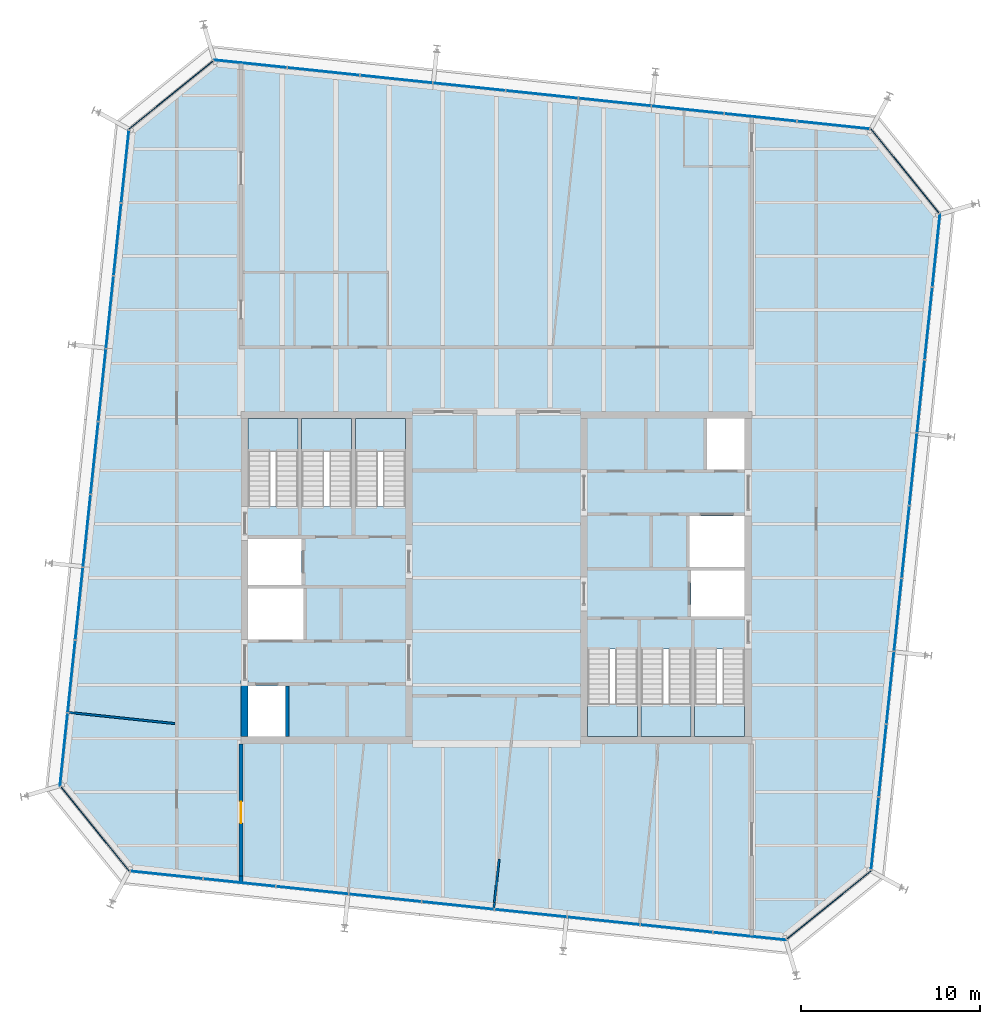
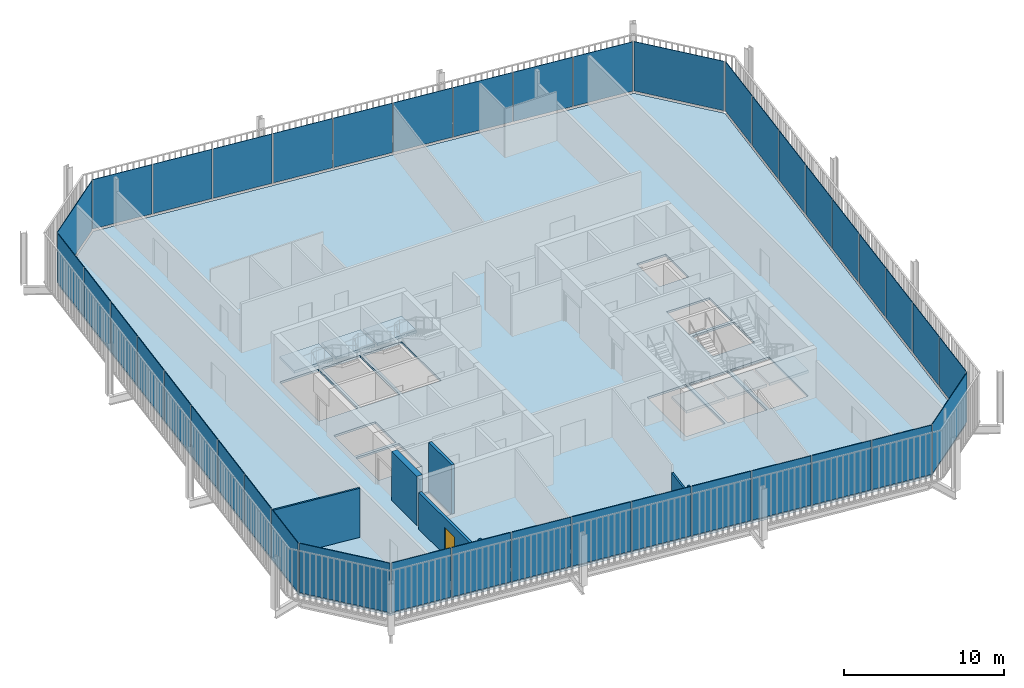
# One storey, part 15 of 20: 40 plates, 7 slabs, 7 walls, 1 door, 1 opening, 14 elements without a shape of their own.
"""IFC4 building model written with IfcOpenShell, lengths in metres."""

from ifc_helpers import new_model, si_unit, direction, frame, frame_2d, origin, place, context, subcontext, project, spatial, polyline, rectangle, outline, extrude, material, layer, layer_set, type_object, element, fill, aggregate, save


model = new_model("IFC4")

# Units and contexts
model_context = context("Model", 3, precision=1e-05, world=origin(), true_north=direction((0.0, 1.0)))
body_context = subcontext(model_context, "Body", "Model", "MODEL_VIEW")
ifc_project = project(units=[si_unit("LENGTHUNIT", "METRE"), si_unit("AREAUNIT", "SQUARE_METRE"), si_unit("VOLUMEUNIT", "CUBIC_METRE"), si_unit("PLANEANGLEUNIT", "RADIAN"), si_unit("MASSUNIT", "GRAM", prefix="KILO")], contexts=[model_context])

# Site, building, storey
site_placement = place(None, origin())
site = spatial("IfcSite", under=ifc_project, at=site_placement, CompositionType="ELEMENT")
building_placement = place(site_placement, origin())
building = spatial("IfcBuilding", under=site, at=building_placement, Name="Millrace Tower", CompositionType="ELEMENT")
storey_placement = place(building_placement, frame((0.0, 0.0, 287.699951171875)))
storey = spatial("IfcBuildingStorey", under=building, at=storey_placement, Name="L66", CompositionType="ELEMENT", Elevation=287.699951171875)

# Curtain wall, plate
ifc_material_1 = material(Name="Aluminium and glass", Category="aluminium")
ifc_layer_1 = layer(ifc_material_1, 0.14990234375)
ifc_layer_set_1 = layer_set([ifc_layer_1], Name="Aluminium and glass")
curtain_wall_type = type_object("IfcCurtainWallType", Name="CW-1 office vision curtain wall", PredefinedType="NOTDEFINED", material=ifc_layer_set_1)
placement_1 = place(storey_placement, origin())
curtain_wall_1 = element("IfcCurtainWall", 1, at=placement_1, inside=storey, type_object=curtain_wall_type, Name="Curtain wall E-F01 L66", PredefinedType="NOTDEFINED")
ifc_material_2 = material(Name="Glass", Category="glass")
ifc_layer_2 = layer(ifc_material_2, 0.0439453125)
ifc_layer_set_2 = layer_set([ifc_layer_2], Name="Glass")
plate_type = type_object("IfcPlateType", Name="CW-1 office vision curtain wall triple-glazed vision panel", PredefinedType="CURTAIN_PANEL", material=ifc_layer_set_2)
placement_2 = place(storey_placement, frame((0.0, 0.0, 0.14013671875)))
plate_1 = element("IfcPlate", 2, at=placement_2, type_object=plate_type, Name="CW1 panel E-F01.1", PredefinedType="CURTAIN_PANEL", context=body_context, shape_type="SweptSolid", body=[
    extrude(outline(polyline([(-24.388427734375, -11.732421875), (-20.5771484375, -16.439208984375), (-20.554443359375, -16.397216796875), (-24.354248046875, -11.704833984375), (-24.388427734375, -11.732421875)])), origin(), (0.0, 0.0, 1.0), 3.760009765625),
])
aggregate(curtain_wall_1, [plate_1])

# Curtain wall, plates
curtain_wall_2 = element("IfcCurtainWall", 3, at=placement_1, inside=storey, type_object=curtain_wall_type, Name="Curtain wall E-F02 L66", PredefinedType="NOTDEFINED")
plate_2 = element("IfcPlate", 4, at=placement_2, type_object=plate_type, Name="CW1 panel E-F02.1", PredefinedType="CURTAIN_PANEL", context=body_context, shape_type="SweptSolid", body=[
    extrude(outline(polyline([(-20.472412109375, -16.4501953125), (-16.45947265625, -16.871826171875), (-16.454833984375, -16.828125), (-20.4677734375, -16.40625), (-20.472412109375, -16.4501953125)])), origin(), (0.0, 0.0, 1.0), 3.760009765625),
])
plate_3 = element("IfcPlate", 5, at=placement_2, type_object=plate_type, Name="CW1 panel E-F02.2", PredefinedType="CURTAIN_PANEL", context=body_context, shape_type="SweptSolid", body=[
    extrude(outline(polyline([(-16.39501953125, -16.878662109375), (-12.382080078125, -17.300537109375), (-12.37744140625, -17.256591796875), (-16.390380859375, -16.8349609375), (-16.39501953125, -16.878662109375)])), origin(), (0.0, 0.0, 1.0), 3.760009765625),
])
plate_4 = element("IfcPlate", 6, at=placement_2, type_object=plate_type, Name="CW1 panel E-F02.3", PredefinedType="CURTAIN_PANEL", context=body_context, shape_type="SweptSolid", body=[
    extrude(outline(polyline([(-12.3173828125, -17.30712890625), (-8.304443359375, -17.72900390625), (-8.2998046875, -17.685302734375), (-12.312744140625, -17.263427734375), (-12.3173828125, -17.30712890625)])), origin(), (0.0, 0.0, 1.0), 3.760009765625),
])
plate_5 = element("IfcPlate", 7, at=placement_2, type_object=plate_type, Name="CW1 panel E-F02.4", PredefinedType="CURTAIN_PANEL", context=body_context, shape_type="SweptSolid", body=[
    extrude(outline(polyline([(-8.23974609375, -17.73583984375), (-4.22705078125, -18.157470703125), (-4.222412109375, -18.11376953125), (-8.235107421875, -17.692138671875), (-8.23974609375, -17.73583984375)])), origin(), (0.0, 0.0, 1.0), 3.760009765625),
])
plate_6 = element("IfcPlate", 8, at=placement_2, type_object=plate_type, Name="CW1 panel E-F02.5", PredefinedType="CURTAIN_PANEL", context=body_context, shape_type="SweptSolid", body=[
    extrude(outline(polyline([(-4.162353515625, -18.164306640625), (-0.1494140625, -18.586181640625), (-0.144775390625, -18.54248046875), (-4.15771484375, -18.12060546875), (-4.162353515625, -18.164306640625)])), origin(), (0.0, 0.0, 1.0), 3.760009765625),
])
plate_7 = element("IfcPlate", 9, at=placement_2, type_object=plate_type, Name="CW1 panel E-F02.6", PredefinedType="CURTAIN_PANEL", context=body_context, shape_type="SweptSolid", body=[
    extrude(outline(polyline([(-0.084716796875, -18.593017578125), (3.92822265625, -19.0146484375), (3.932861328125, -18.970947265625), (-0.080078125, -18.549072265625), (-0.084716796875, -18.593017578125)])), origin(), (0.0, 0.0, 1.0), 3.760009765625),
])
plate_8 = element("IfcPlate", 10, at=placement_2, type_object=plate_type, Name="CW1 panel E-F02.7", PredefinedType="CURTAIN_PANEL", context=body_context, shape_type="SweptSolid", body=[
    extrude(outline(polyline([(3.99267578125, -19.021484375), (8.005615234375, -19.443359375), (8.01025390625, -19.3994140625), (3.997314453125, -18.977783203125), (3.99267578125, -19.021484375)])), origin(), (0.0, 0.0, 1.0), 3.760009765625),
])
plate_9 = element("IfcPlate", 11, at=placement_2, type_object=plate_type, Name="CW1 panel E-F02.8", PredefinedType="CURTAIN_PANEL", context=body_context, shape_type="SweptSolid", body=[
    extrude(outline(polyline([(8.0703125, -19.449951171875), (12.083251953125, -19.871826171875), (12.087890625, -19.828125), (8.074951171875, -19.40625), (8.0703125, -19.449951171875)])), origin(), (0.0, 0.0, 1.0), 3.760009765625),
])
plate_10 = element("IfcPlate", 12, at=placement_2, type_object=plate_type, Name="CW1 panel E-F02.9", PredefinedType="CURTAIN_PANEL", context=body_context, shape_type="SweptSolid", body=[
    extrude(outline(polyline([(12.14794921875, -19.878662109375), (16.20068359375, -20.3046875), (16.187255859375, -20.259033203125), (12.152587890625, -19.8349609375), (12.14794921875, -19.878662109375)])), origin(), (0.0, 0.0, 1.0), 3.760009765625),
])
aggregate(curtain_wall_2, [plate_2, plate_3, plate_4, plate_5, plate_6, plate_7, plate_8, plate_9, plate_10])

# Curtain wall, plate
curtain_wall_3 = element("IfcCurtainWall", 13, at=placement_1, inside=storey, type_object=curtain_wall_type, Name="Curtain wall E-F03 L66", PredefinedType="NOTDEFINED")
plate_11 = element("IfcPlate", 14, at=placement_2, type_object=plate_type, Name="CW1 panel E-F03.1", PredefinedType="CURTAIN_PANEL", context=body_context, shape_type="SweptSolid", body=[
    extrude(outline(polyline([(16.282470703125, -20.23828125), (20.989013671875, -16.427001953125), (20.947265625, -16.404296875), (16.2548828125, -20.2041015625), (16.282470703125, -20.23828125)])), origin(), (0.0, 0.0, 1.0), 3.760009765625),
])
aggregate(curtain_wall_3, [plate_11])

# Curtain wall, plates
curtain_wall_4 = element("IfcCurtainWall", 15, at=placement_1, inside=storey, type_object=curtain_wall_type, Name="Curtain wall E-F04 L66", PredefinedType="NOTDEFINED")
plate_12 = element("IfcPlate", 16, at=placement_2, type_object=plate_type, Name="CW1 panel E-F04.1", PredefinedType="CURTAIN_PANEL", context=body_context, shape_type="SweptSolid", body=[
    extrude(outline(polyline([(21.0, -16.322509765625), (21.421875, -12.3095703125), (21.378173828125, -12.304931640625), (20.956298828125, -16.31787109375), (21.0, -16.322509765625)])), origin(), (0.0, 0.0, 1.0), 3.760009765625),
])
plate_13 = element("IfcPlate", 17, at=placement_2, type_object=plate_type, Name="CW1 panel E-F04.2", PredefinedType="CURTAIN_PANEL", context=body_context, shape_type="SweptSolid", body=[
    extrude(outline(polyline([(21.4287109375, -12.244873046875), (21.850341796875, -8.23193359375), (21.806640625, -8.227294921875), (21.385009765625, -12.240234375), (21.4287109375, -12.244873046875)])), origin(), (0.0, 0.0, 1.0), 3.760009765625),
])
plate_14 = element("IfcPlate", 18, at=placement_2, type_object=plate_type, Name="CW1 panel E-F04.3", PredefinedType="CURTAIN_PANEL", context=body_context, shape_type="SweptSolid", body=[
    extrude(outline(polyline([(21.857177734375, -8.16748046875), (22.279052734375, -4.154541015625), (22.2353515625, -4.14990234375), (21.8134765625, -8.162841796875), (21.857177734375, -8.16748046875)])), origin(), (0.0, 0.0, 1.0), 3.760009765625),
])
plate_15 = element("IfcPlate", 19, at=placement_2, type_object=plate_type, Name="CW1 panel E-F04.4", PredefinedType="CURTAIN_PANEL", context=body_context, shape_type="SweptSolid", body=[
    extrude(outline(polyline([(22.285888671875, -4.08984375), (22.70751953125, -0.076904296875), (22.663818359375, -0.072265625), (22.241943359375, -4.085205078125), (22.285888671875, -4.08984375)])), origin(), (0.0, 0.0, 1.0), 3.760009765625),
])
plate_16 = element("IfcPlate", 20, at=placement_2, type_object=plate_type, Name="CW1 panel E-F04.5", PredefinedType="CURTAIN_PANEL", context=body_context, shape_type="SweptSolid", body=[
    extrude(outline(polyline([(22.71435546875, -0.01220703125), (23.13623046875, 4.00048828125), (23.09228515625, 4.005126953125), (22.670654296875, -0.007568359375), (22.71435546875, -0.01220703125)])), origin(), (0.0, 0.0, 1.0), 3.760009765625),
])
plate_17 = element("IfcPlate", 21, at=placement_2, type_object=plate_type, Name="CW1 panel E-F04.6", PredefinedType="CURTAIN_PANEL", context=body_context, shape_type="SweptSolid", body=[
    extrude(outline(polyline([(23.142822265625, 4.065185546875), (23.564697265625, 8.078125), (23.52099609375, 8.082763671875), (23.09912109375, 4.06982421875), (23.142822265625, 4.065185546875)])), origin(), (0.0, 0.0, 1.0), 3.760009765625),
])
plate_18 = element("IfcPlate", 22, at=placement_2, type_object=plate_type, Name="CW1 panel E-F04.7", PredefinedType="CURTAIN_PANEL", context=body_context, shape_type="SweptSolid", body=[
    extrude(outline(polyline([(23.571533203125, 8.142822265625), (23.9931640625, 12.15576171875), (23.949462890625, 12.160400390625), (23.52783203125, 8.1474609375), (23.571533203125, 8.142822265625)])), origin(), (0.0, 0.0, 1.0), 3.760009765625),
])
plate_19 = element("IfcPlate", 23, at=placement_2, type_object=plate_type, Name="CW1 panel E-F04.8", PredefinedType="CURTAIN_PANEL", context=body_context, shape_type="SweptSolid", body=[
    extrude(outline(polyline([(24.0, 12.22021484375), (24.421875, 16.233154296875), (24.378173828125, 16.23779296875), (23.956298828125, 12.224853515625), (24.0, 12.22021484375)])), origin(), (0.0, 0.0, 1.0), 3.760009765625),
])
plate_20 = element("IfcPlate", 24, at=placement_2, type_object=plate_type, Name="CW1 panel E-F04.9", PredefinedType="CURTAIN_PANEL", context=body_context, shape_type="SweptSolid", body=[
    extrude(outline(polyline([(24.4287109375, 16.2978515625), (24.8544921875, 20.350830078125), (24.808837890625, 20.337158203125), (24.384765625, 16.302490234375), (24.4287109375, 16.2978515625)])), origin(), (0.0, 0.0, 1.0), 3.760009765625),
])
aggregate(curtain_wall_4, [plate_12, plate_13, plate_14, plate_15, plate_16, plate_17, plate_18, plate_19, plate_20])

# Curtain wall, plate
curtain_wall_5 = element("IfcCurtainWall", 25, at=placement_1, inside=storey, type_object=curtain_wall_type, Name="Curtain wall E-F05 L66", PredefinedType="NOTDEFINED")
plate_21 = element("IfcPlate", 26, at=placement_2, type_object=plate_type, Name="CW1 panel E-F05.1", PredefinedType="CURTAIN_PANEL", context=body_context, shape_type="SweptSolid", body=[
    extrude(outline(polyline([(24.788330078125, 20.432373046875), (20.97705078125, 25.13916015625), (20.954345703125, 25.09716796875), (24.754150390625, 20.40478515625), (24.788330078125, 20.432373046875)])), origin(), (0.0, 0.0, 1.0), 3.760009765625),
])
aggregate(curtain_wall_5, [plate_21])

# Curtain wall, plates
curtain_wall_6 = element("IfcCurtainWall", 27, at=placement_1, inside=storey, type_object=curtain_wall_type, Name="Curtain wall E-F06 L66", PredefinedType="NOTDEFINED")
plate_22 = element("IfcPlate", 28, at=placement_2, type_object=plate_type, Name="CW1 panel E-F06.1", PredefinedType="CURTAIN_PANEL", context=body_context, shape_type="SweptSolid", body=[
    extrude(outline(polyline([(20.87255859375, 25.150146484375), (16.859619140625, 25.57177734375), (16.85498046875, 25.528076171875), (20.867919921875, 25.1064453125), (20.87255859375, 25.150146484375)])), origin(), (0.0, 0.0, 1.0), 3.760009765625),
])
plate_23 = element("IfcPlate", 29, at=placement_2, type_object=plate_type, Name="CW1 panel E-F06.2", PredefinedType="CURTAIN_PANEL", context=body_context, shape_type="SweptSolid", body=[
    extrude(outline(polyline([(16.794921875, 25.57861328125), (12.781982421875, 26.00048828125), (12.77734375, 25.956787109375), (16.790283203125, 25.534912109375), (16.794921875, 25.57861328125)])), origin(), (0.0, 0.0, 1.0), 3.760009765625),
])
plate_24 = element("IfcPlate", 30, at=placement_2, type_object=plate_type, Name="CW1 panel E-F06.3", PredefinedType="CURTAIN_PANEL", context=body_context, shape_type="SweptSolid", body=[
    extrude(outline(polyline([(12.71728515625, 26.00732421875), (8.70458984375, 26.428955078125), (8.699951171875, 26.38525390625), (12.712646484375, 25.96337890625), (12.71728515625, 26.00732421875)])), origin(), (0.0, 0.0, 1.0), 3.760009765625),
])
plate_25 = element("IfcPlate", 31, at=placement_2, type_object=plate_type, Name="CW1 panel E-F06.4", PredefinedType="CURTAIN_PANEL", context=body_context, shape_type="SweptSolid", body=[
    extrude(outline(polyline([(8.639892578125, 26.435791015625), (4.626953125, 26.857666015625), (4.622314453125, 26.813720703125), (8.63525390625, 26.39208984375), (8.639892578125, 26.435791015625)])), origin(), (0.0, 0.0, 1.0), 3.760009765625),
])
plate_26 = element("IfcPlate", 32, at=placement_2, type_object=plate_type, Name="CW1 panel E-F06.5", PredefinedType="CURTAIN_PANEL", context=body_context, shape_type="SweptSolid", body=[
    extrude(outline(polyline([(4.562255859375, 26.8642578125), (0.54931640625, 27.2861328125), (0.544677734375, 27.242431640625), (4.5576171875, 26.820556640625), (4.562255859375, 26.8642578125)])), origin(), (0.0, 0.0, 1.0), 3.760009765625),
])
plate_27 = element("IfcPlate", 33, at=placement_2, type_object=plate_type, Name="CW1 panel E-F06.6", PredefinedType="CURTAIN_PANEL", context=body_context, shape_type="SweptSolid", body=[
    extrude(outline(polyline([(0.48486328125, 27.29296875), (-3.528076171875, 27.714599609375), (-3.53271484375, 27.6708984375), (0.480224609375, 27.249267578125), (0.48486328125, 27.29296875)])), origin(), (0.0, 0.0, 1.0), 3.760009765625),
])
plate_28 = element("IfcPlate", 34, at=placement_2, type_object=plate_type, Name="CW1 panel E-F06.7", PredefinedType="CURTAIN_PANEL", context=body_context, shape_type="SweptSolid", body=[
    extrude(outline(polyline([(-3.5927734375, 27.721435546875), (-7.605712890625, 28.143310546875), (-7.6103515625, 28.099609375), (-3.597412109375, 27.677734375), (-3.5927734375, 27.721435546875)])), origin(), (0.0, 0.0, 1.0), 3.760009765625),
])
plate_29 = element("IfcPlate", 35, at=placement_2, type_object=plate_type, Name="CW1 panel E-F06.8", PredefinedType="CURTAIN_PANEL", context=body_context, shape_type="SweptSolid", body=[
    extrude(outline(polyline([(-7.67041015625, 28.150146484375), (-11.68310546875, 28.57177734375), (-11.687744140625, 28.528076171875), (-7.675048828125, 28.106201171875), (-7.67041015625, 28.150146484375)])), origin(), (0.0, 0.0, 1.0), 3.760009765625),
])
plate_30 = element("IfcPlate", 36, at=placement_2, type_object=plate_type, Name="CW1 panel E-F06.9", PredefinedType="CURTAIN_PANEL", context=body_context, shape_type="SweptSolid", body=[
    extrude(outline(polyline([(-11.747802734375, 28.57861328125), (-15.80078125, 29.004638671875), (-15.787109375, 28.958984375), (-11.75244140625, 28.534912109375), (-11.747802734375, 28.57861328125)])), origin(), (0.0, 0.0, 1.0), 3.760009765625),
])
aggregate(curtain_wall_6, [plate_22, plate_23, plate_24, plate_25, plate_26, plate_27, plate_28, plate_29, plate_30])

# Curtain wall, plate
curtain_wall_7 = element("IfcCurtainWall", 37, at=placement_1, inside=storey, type_object=curtain_wall_type, Name="Curtain wall E-F07 L66", PredefinedType="NOTDEFINED")
plate_31 = element("IfcPlate", 38, at=placement_2, type_object=plate_type, Name="CW1 panel E-F07.1", PredefinedType="CURTAIN_PANEL", context=body_context, shape_type="SweptSolid", body=[
    extrude(outline(polyline([(-15.882568359375, 28.9384765625), (-20.589111328125, 25.126953125), (-20.547119140625, 25.104248046875), (-15.854736328125, 28.904296875), (-15.882568359375, 28.9384765625)])), origin(), (0.0, 0.0, 1.0), 3.760009765625),
])
aggregate(curtain_wall_7, [plate_31])

# Curtain wall, plates
curtain_wall_8 = element("IfcCurtainWall", 39, at=placement_1, inside=storey, type_object=curtain_wall_type, Name="Curtain wall E-F08 L66", PredefinedType="NOTDEFINED")
plate_32 = element("IfcPlate", 40, at=placement_2, type_object=plate_type, Name="CW1 panel E-F08.1", PredefinedType="CURTAIN_PANEL", context=body_context, shape_type="SweptSolid", body=[
    extrude(outline(polyline([(-20.60009765625, 25.0224609375), (-21.02197265625, 21.009521484375), (-20.97802734375, 21.0048828125), (-20.556396484375, 25.017822265625), (-20.60009765625, 25.0224609375)])), origin(), (0.0, 0.0, 1.0), 3.760009765625),
])
plate_33 = element("IfcPlate", 41, at=placement_2, type_object=plate_type, Name="CW1 panel E-F08.2", PredefinedType="CURTAIN_PANEL", context=body_context, shape_type="SweptSolid", body=[
    extrude(outline(polyline([(-21.028564453125, 20.94482421875), (-21.450439453125, 16.93212890625), (-21.40673828125, 16.927490234375), (-20.98486328125, 20.9404296875), (-21.028564453125, 20.94482421875)])), origin(), (0.0, 0.0, 1.0), 3.760009765625),
])
plate_34 = element("IfcPlate", 42, at=placement_2, type_object=plate_type, Name="CW1 panel E-F08.3", PredefinedType="CURTAIN_PANEL", context=body_context, shape_type="SweptSolid", body=[
    extrude(outline(polyline([(-21.457275390625, 16.867431640625), (-21.87890625, 12.8544921875), (-21.835205078125, 12.849853515625), (-21.41357421875, 16.86279296875), (-21.457275390625, 16.867431640625)])), origin(), (0.0, 0.0, 1.0), 3.760009765625),
])
plate_35 = element("IfcPlate", 43, at=placement_2, type_object=plate_type, Name="CW1 panel E-F08.4", PredefinedType="CURTAIN_PANEL", context=body_context, shape_type="SweptSolid", body=[
    extrude(outline(polyline([(-21.8857421875, 12.789794921875), (-22.3076171875, 8.77685546875), (-22.263916015625, 8.772216796875), (-21.842041015625, 12.78515625), (-21.8857421875, 12.789794921875)])), origin(), (0.0, 0.0, 1.0), 3.760009765625),
])
plate_36 = element("IfcPlate", 44, at=placement_2, type_object=plate_type, Name="CW1 panel E-F08.5", PredefinedType="CURTAIN_PANEL", context=body_context, shape_type="SweptSolid", body=[
    extrude(outline(polyline([(-22.314453125, 8.71240234375), (-22.736083984375, 4.699462890625), (-22.6923828125, 4.69482421875), (-22.2705078125, 8.707763671875), (-22.314453125, 8.71240234375)])), origin(), (0.0, 0.0, 1.0), 3.760009765625),
])
plate_37 = element("IfcPlate", 45, at=placement_2, type_object=plate_type, Name="CW1 panel E-F08.6", PredefinedType="CURTAIN_PANEL", context=body_context, shape_type="SweptSolid", body=[
    extrude(outline(polyline([(-22.742919921875, 4.634765625), (-23.164794921875, 0.621826171875), (-23.120849609375, 0.6171875), (-22.69921875, 4.630126953125), (-22.742919921875, 4.634765625)])), origin(), (0.0, 0.0, 1.0), 3.760009765625),
])
plate_38 = element("IfcPlate", 46, at=placement_2, type_object=plate_type, Name="CW1 panel E-F08.7", PredefinedType="CURTAIN_PANEL", context=body_context, shape_type="SweptSolid", body=[
    extrude(outline(polyline([(-23.17138671875, 0.55712890625), (-23.59326171875, -3.45556640625), (-23.549560546875, -3.460205078125), (-23.127685546875, 0.552490234375), (-23.17138671875, 0.55712890625)])), origin(), (0.0, 0.0, 1.0), 3.760009765625),
])
plate_39 = element("IfcPlate", 47, at=placement_2, type_object=plate_type, Name="CW1 panel E-F08.8", PredefinedType="CURTAIN_PANEL", context=body_context, shape_type="SweptSolid", body=[
    extrude(outline(polyline([(-23.60009765625, -3.520263671875), (-24.021728515625, -7.533203125), (-23.97802734375, -7.537841796875), (-23.556396484375, -3.52490234375), (-23.60009765625, -3.520263671875)])), origin(), (0.0, 0.0, 1.0), 3.760009765625),
])
plate_40 = element("IfcPlate", 48, at=placement_2, type_object=plate_type, Name="CW1 panel E-F08.9", PredefinedType="CURTAIN_PANEL", context=body_context, shape_type="SweptSolid", body=[
    extrude(outline(polyline([(-24.028564453125, -7.597900390625), (-24.45458984375, -11.650634765625), (-24.408935546875, -11.63720703125), (-23.98486328125, -7.6025390625), (-24.028564453125, -7.597900390625)])), origin(), (0.0, 0.0, 1.0), 3.760009765625),
])
aggregate(curtain_wall_8, [plate_32, plate_33, plate_34, plate_35, plate_36, plate_37, plate_38, plate_39, plate_40])

# Slab
ifc_material_3 = material(Name="Concrete C35 on steel deck", Category="concrete")
ifc_layer_3 = layer(ifc_material_3, 0.159912109375)
ifc_layer_set_3 = layer_set([ifc_layer_3], Name="Concrete C35 on steel deck")
slab_type_1 = type_object("IfcSlabType", Name="Composite floor slab 160 mm", PredefinedType="FLOOR", material=ifc_layer_set_3)
slab_1_placement = place(storey_placement, frame((0.0, 0.0, -0.159912109375)))
element("IfcSlab", 49, at=slab_1_placement, inside=storey, type_object=slab_type_1, Name="SL-E-L66-S1", PredefinedType="FLOOR", context=body_context, shape_type="SweptSolid", body=[
    extrude(outline(polyline([(-24.35400390625, -11.620849609375), (-20.52685546875, -16.346923828125), (16.1708984375, -20.203857421875), (20.896728515625, -16.376953125), (24.75390625, 20.32080078125), (20.927001953125, 25.046875), (-15.77099609375, 28.90380859375), (-20.496826171875, 25.076904296875), (-24.35400390625, -11.620849609375)]), holes=[polyline([(-13.89990234375, -8.89990234375), (-11.800048828125, -8.89990234375), (-11.800048828125, -6.050048828125), (-13.89990234375, -6.050048828125), (-13.89990234375, -8.89990234375)]), polyline([(-13.89990234375, -3.449951171875), (-10.800048828125, -3.449951171875), (-10.800048828125, -0.60009765625), (-13.89990234375, -0.60009765625), (-13.89990234375, -3.449951171875)]), polyline([(-13.89990234375, -0.39990234375), (-10.89990234375, -0.39990234375), (-10.89990234375, 2.179931640625), (-13.89990234375, 2.179931640625), (-13.89990234375, -0.39990234375)]), polyline([(-13.89990234375, 4.0), (-11.10009765625, 4.0), (-11.10009765625, 8.89990234375), (-13.89990234375, 8.89990234375), (-13.89990234375, 4.0)]), polyline([(-10.89990234375, 4.0), (-8.10009765625, 4.0), (-8.10009765625, 8.89990234375), (-10.89990234375, 8.89990234375), (-10.89990234375, 4.0)]), polyline([(-7.89990234375, 4.0), (-5.10009765625, 4.0), (-5.10009765625, 8.89990234375), (-7.89990234375, 8.89990234375), (-7.89990234375, 4.0)]), polyline([(11.800048828125, 6.050048828125), (13.89990234375, 6.050048828125), (13.89990234375, 8.89990234375), (11.800048828125, 8.89990234375), (11.800048828125, 6.050048828125)]), polyline([(10.800048828125, 0.60009765625), (13.89990234375, 0.60009765625), (13.89990234375, 3.449951171875), (10.800048828125, 3.449951171875), (10.800048828125, 0.60009765625)]), polyline([(10.89990234375, -2.179931640625), (13.89990234375, -2.179931640625), (13.89990234375, 0.39990234375), (10.89990234375, 0.39990234375), (10.89990234375, -2.179931640625)]), polyline([(11.10009765625, -8.89990234375), (13.89990234375, -8.89990234375), (13.89990234375, -4.0), (11.10009765625, -4.0), (11.10009765625, -8.89990234375)]), polyline([(8.10009765625, -8.89990234375), (10.89990234375, -8.89990234375), (10.89990234375, -4.0), (8.10009765625, -4.0), (8.10009765625, -8.89990234375)]), polyline([(5.10009765625, -8.89990234375), (7.89990234375, -8.89990234375), (7.89990234375, -4.0), (5.10009765625, -4.0), (5.10009765625, -8.89990234375)])]), origin(), (0.0, 0.0, 1.0), 0.159912109375),
])

# Stair, slab
ifc_material_4 = material(Name="Concrete C35", Category="concrete")
stair_type = type_object("IfcStairType", Name="Exit stair", PredefinedType="HALF_TURN_STAIR", material=ifc_material_4)
stair_1 = element("IfcStair", 50, at=placement_1, inside=storey, type_object=stair_type, Name="Stair 1 W L66", PredefinedType="HALF_TURN_STAIR")
ifc_material_5 = material(Name="Concrete C40", Category="concrete")
ifc_layer_4 = layer(ifc_material_5, 0.199951171875)
ifc_layer_set_4 = layer_set([ifc_layer_4], Name="Concrete C40")
slab_type_2 = type_object("IfcSlabType", Name="Stair landing", PredefinedType="LANDING", material=ifc_layer_set_4)
placement_3 = place(storey_placement, frame((0.0, 0.0, 1.75)))
slab_2 = element("IfcSlab", 51, at=placement_3, type_object=slab_type_2, Name="ST12 landing 1", PredefinedType="LANDING", context=body_context, shape_type="SweptSolid", body=[
    extrude(outline(polyline([(-13.89990234375, 7.080078125), (-11.10009765625, 7.080078125), (-11.10009765625, 8.89990234375), (-13.89990234375, 8.89990234375), (-13.89990234375, 7.080078125)])), origin(), (0.0, 0.0, 1.0), 0.199951171875),
])
aggregate(stair_1, [slab_2])

stair_2 = element("IfcStair", 52, at=placement_1, inside=storey, type_object=stair_type, Name="Stair 2 W L66", PredefinedType="HALF_TURN_STAIR")
slab_3 = element("IfcSlab", 53, at=placement_3, type_object=slab_type_2, Name="ST12 landing 1", PredefinedType="LANDING", context=body_context, shape_type="SweptSolid", body=[
    extrude(outline(polyline([(-10.89990234375, 7.080078125), (-8.10009765625, 7.080078125), (-8.10009765625, 8.89990234375), (-10.89990234375, 8.89990234375), (-10.89990234375, 7.080078125)])), origin(), (0.0, 0.0, 1.0), 0.199951171875),
])
aggregate(stair_2, [slab_3])

stair_3 = element("IfcStair", 54, at=placement_1, inside=storey, type_object=stair_type, Name="Stair 3 W L66", PredefinedType="HALF_TURN_STAIR")
slab_4 = element("IfcSlab", 55, at=placement_3, type_object=slab_type_2, Name="ST12 landing 1", PredefinedType="LANDING", context=body_context, shape_type="SweptSolid", body=[
    extrude(outline(polyline([(-7.89990234375, 7.080078125), (-5.10009765625, 7.080078125), (-5.10009765625, 8.89990234375), (-7.89990234375, 8.89990234375), (-7.89990234375, 7.080078125)])), origin(), (0.0, 0.0, 1.0), 0.199951171875),
])
aggregate(stair_3, [slab_4])

stair_4 = element("IfcStair", 56, at=placement_1, inside=storey, type_object=stair_type, Name="Stair 1 E L66", PredefinedType="HALF_TURN_STAIR")
slab_5 = element("IfcSlab", 57, at=placement_3, type_object=slab_type_2, Name="ST12 landing 1", PredefinedType="LANDING", context=body_context, shape_type="SweptSolid", body=[
    extrude(outline(polyline([(11.10009765625, -8.89990234375), (13.89990234375, -8.89990234375), (13.89990234375, -7.080078125), (11.10009765625, -7.080078125), (11.10009765625, -8.89990234375)])), origin(), (0.0, 0.0, 1.0), 0.199951171875),
])
aggregate(stair_4, [slab_5])

stair_5 = element("IfcStair", 58, at=placement_1, inside=storey, type_object=stair_type, Name="Stair 2 E L66", PredefinedType="HALF_TURN_STAIR")
slab_6 = element("IfcSlab", 59, at=placement_3, type_object=slab_type_2, Name="ST12 landing 1", PredefinedType="LANDING", context=body_context, shape_type="SweptSolid", body=[
    extrude(outline(polyline([(8.10009765625, -8.89990234375), (10.89990234375, -8.89990234375), (10.89990234375, -7.080078125), (8.10009765625, -7.080078125), (8.10009765625, -8.89990234375)])), origin(), (0.0, 0.0, 1.0), 0.199951171875),
])
aggregate(stair_5, [slab_6])

stair_6 = element("IfcStair", 60, at=placement_1, inside=storey, type_object=stair_type, Name="Stair 3 E L66", PredefinedType="HALF_TURN_STAIR")
slab_7 = element("IfcSlab", 61, at=placement_3, type_object=slab_type_2, Name="ST12 landing 1", PredefinedType="LANDING", context=body_context, shape_type="SweptSolid", body=[
    extrude(outline(polyline([(5.10009765625, -8.89990234375), (7.89990234375, -8.89990234375), (7.89990234375, -7.080078125), (5.10009765625, -7.080078125), (5.10009765625, -8.89990234375)])), origin(), (0.0, 0.0, 1.0), 0.199951171875),
])
aggregate(stair_6, [slab_7])

# Walls
ifc_material_6 = material(Name="Concrete C60", Category="concrete")
ifc_layer_5 = layer(ifc_material_6, 0.39990234375)
ifc_layer_set_5 = layer_set([ifc_layer_5], Name="Concrete C60")
wall_type_1 = type_object("IfcWallType", Name="Core wall 400 Concrete C60", PredefinedType="SHEAR", material=ifc_layer_set_5)
wall_1_placement = place(storey_placement, frame((-14.10009765625, -8.89990234375, 0.0), z_axis=(0.0, 0.0, 1.0), x_axis=(0.0, 1.0, 0.0)))
element("IfcWall", 62, at=wall_1_placement, inside=storey, type_object=wall_type_1, Name="Core wall W L66", PredefinedType="SHEAR", context=body_context, shape_type="SweptSolid", body=[
    extrude(rectangle(XDim=3.14990234375, YDim=0.39990234375, at=frame_2d((1.574951171875, 0.0))), origin(), (0.0, 0.0, 1.0), 3.739990234375),
])
ifc_material_7 = material(Name="Masonry partition, fire-rated", Category="masonry")
ifc_layer_6 = layer(ifc_material_7, 0.199951171875)
ifc_layer_set_6 = layer_set([ifc_layer_6], Name="Masonry partition, fire-rated")
wall_type_2 = type_object("IfcWallType", Name="Corridor wall 200", PredefinedType="PARTITIONING", material=ifc_layer_set_6)
wall_2_placement = place(storey_placement, frame((-14.300048828125, -17.031494140625, 0.0), z_axis=(0.0, 0.0, 1.0), x_axis=(0.0, 1.0, 0.0)))
element("IfcWall", 63, at=wall_2_placement, inside=storey, type_object=wall_type_2, Name="Corridor wall L66", PredefinedType="PARTITIONING", context=body_context, shape_type="SweptSolid", body=[
    extrude(rectangle(XDim=0.339111328125, YDim=0.199951171875, at=frame_2d((0.16943359375, 0.0))), origin(), (0.0, 0.0, 1.0), 3.739990234375),
])

# Wall, opening, door
wall_3_placement = place(storey_placement, frame((-14.300048828125, -16.6923828125, 0.0), z_axis=(0.0, 0.0, 1.0), x_axis=(0.0, 1.0, 0.0)))
wall_3 = element("IfcWall", 64, at=wall_3_placement, inside=storey, type_object=wall_type_2, Name="Corridor wall L66", PredefinedType="PARTITIONING", context=body_context, shape_type="SweptSolid", body=[
    extrude(rectangle(XDim=7.392333984375, YDim=0.199951171875, at=frame_2d((3.6962890625, 0.0))), origin(), (0.0, 0.0, 1.0), 2.81298828125),
])
opening_placement = place(wall_3_placement, frame((2.95166015625, 0.0, 0.0)))
opening = element("IfcOpeningElement", 65, at=opening_placement, cuts=wall_3, Name="Opening 66-P009", PredefinedType="OPENING", context=body_context, shape_type="SweptSolid", body=[
    extrude(rectangle(XDim=1.199951171875, YDim=2.10009765625, at=frame_2d((0.60009765625, 1.050048828125))), frame((0.0, 0.10986328125, 0.0), z_axis=(0.0, -1.0, 0.0), x_axis=(1.0, 0.0, 0.0)), (0.0, 0.0, 1.0), 0.219970703125),
])
ifc_material_8 = material(Name="Steel door set, fire-rated", Category="steel")
door_type = type_object("IfcDoorType", Name="Corridor door 1200 x 2100", OperationType="SINGLE_SWING_LEFT", PredefinedType="DOOR", material=ifc_material_8)
door_placement = place(opening_placement, frame((1.199951171875, 0.0, 0.0), z_axis=(0.0, 0.0, 1.0), x_axis=(-1.0, 0.0, 0.0)))
door = element("IfcDoor", 66, at=door_placement, inside=storey, type_object=door_type, Name="Door 66-P009", OperationType="SINGLE_SWING_RIGHT", OverallHeight=2.10009765625, OverallWidth=1.199951171875, PredefinedType="DOOR", context=body_context, shape_type="SweptSolid", body=[
    extrude(rectangle(XDim=1.199951171875, YDim=2.10009765625, at=frame_2d((0.60009765625, 1.050048828125))), frame((0.0, 0.02490234375, 0.0), z_axis=(0.0, -1.0, 0.0), x_axis=(1.0, 0.0, 0.0)), (0.0, 0.0, 1.0), 0.050048828125),
])
fill(opening, door)

# Walls
ifc_material_9 = material(Name="Masonry partition, fire-rated", Category="masonry")
ifc_layer_7 = layer(ifc_material_9, 0.199951171875)
ifc_layer_set_7 = layer_set([ifc_layer_7], Name="Masonry partition, fire-rated")
wall_type_3 = type_object("IfcWallType", Name="Lift shaft wall 200", PredefinedType="PARTITIONING", material=ifc_layer_set_7)
wall_4_placement = place(storey_placement, frame((-11.699951171875, -8.89990234375, 0.0), z_axis=(0.0, 0.0, 1.0), x_axis=(0.0, 1.0, 0.0)))
element("IfcWall", 67, at=wall_4_placement, inside=storey, type_object=wall_type_3, Name="Lift shaft wall W L66", PredefinedType="PARTITIONING", context=body_context, shape_type="SweptSolid", body=[
    extrude(rectangle(XDim=2.849853515625, YDim=0.199951171875, at=frame_2d((1.4248046875, 0.0))), origin(), (0.0, 0.0, 1.0), 3.739990234375),
])
ifc_material_10 = material(Name="Gypsum board partition")
ifc_layer_8 = layer(ifc_material_10, 0.1201171875)
ifc_layer_set_8 = layer_set([ifc_layer_8], Name="Gypsum board partition")
wall_type_4 = type_object("IfcWallType", Name="Partition wall 120", PredefinedType="PARTITIONING", material=ifc_layer_set_8)
wall_5_placement = place(storey_placement, frame((-23.955078125, -7.539794921875, 0.0), z_axis=(0.0, 0.0, 1.0), x_axis=(0.994508803254, -0.104652951462, 0.0)))
element("IfcWall", 68, at=wall_5_placement, inside=storey, type_object=wall_type_4, Name="Partition wall L66", PredefinedType="PARTITIONING", context=body_context, shape_type="SweptSolid", body=[
    extrude(rectangle(XDim=5.988525390625, YDim=0.1201171875, at=frame_2d((2.994140625, 0.0))), origin(), (0.0, 0.0, 1.0), 3.739990234375),
])
wall_6_placement = place(storey_placement, frame((-0.142822265625, -18.51953125, 0.0), z_axis=(0.0, 0.0, 1.0), x_axis=(0.104142656506, 0.994562369636, 0.0)))
element("IfcWall", 69, at=wall_6_placement, inside=storey, type_object=wall_type_4, Name="Partition wall L66", PredefinedType="PARTITIONING", context=body_context, shape_type="SweptSolid", body=[
    extrude(rectangle(XDim=0.328125, YDim=0.1201171875, at=frame_2d((0.1640625, 0.0))), origin(), (0.0, 0.0, 1.0), 3.739990234375),
])
wall_7_placement = place(storey_placement, frame((-0.108642578125, -18.193115234375, 0.0), z_axis=(0.0, 0.0, 1.0), x_axis=(0.104560846854, 0.994518491183, 0.0)))
element("IfcWall", 70, at=wall_7_placement, inside=storey, type_object=wall_type_4, Name="Partition wall L66", PredefinedType="PARTITIONING", context=body_context, shape_type="SweptSolid", body=[
    extrude(rectangle(XDim=2.4609375, YDim=0.1201171875, at=frame_2d((1.23046875, 0.0))), origin(), (0.0, 0.0, 1.0), 3.140625),
])

save(model, "model.ifc")
